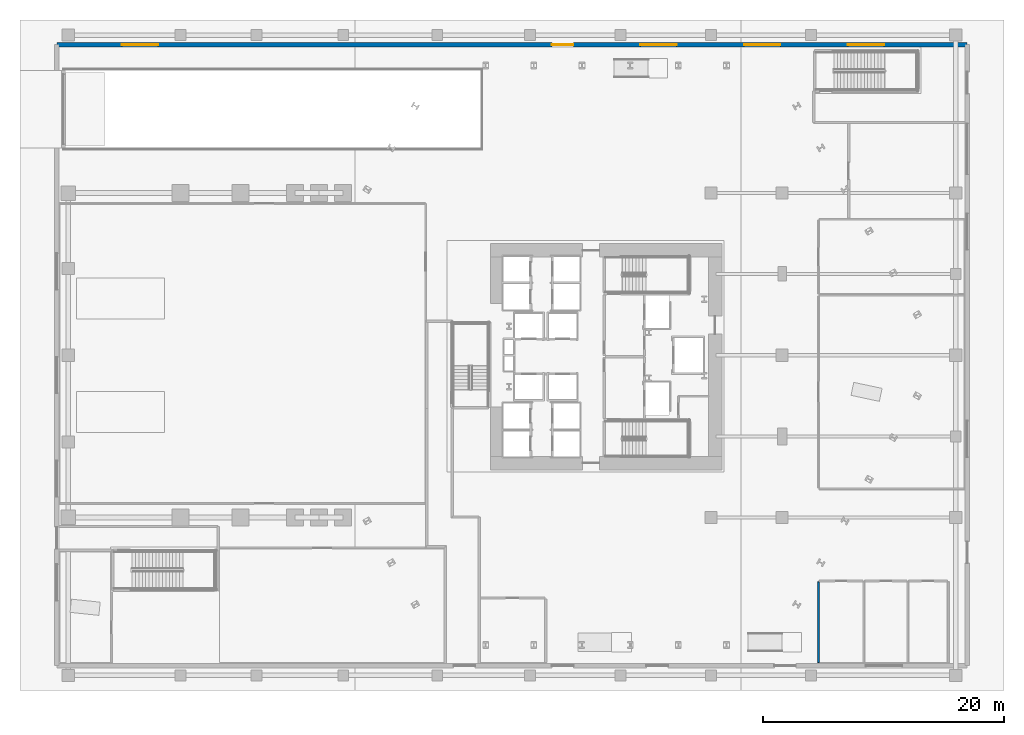
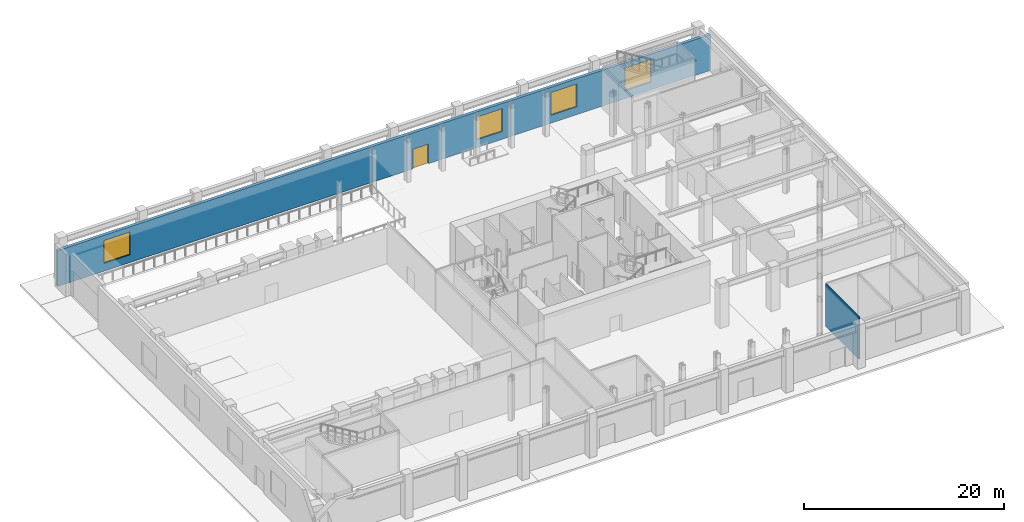
# One storey, part 6 of 18: 4 windows, 2 walls, 1 door, 5 openings.
"""IFC4 building model written with IfcOpenShell, lengths in metres."""

import ifcopenshell
import ifcopenshell.guid

model = None  # the IFC model being written
_history = None  # IfcOwnerHistory: only IFC2X3 demands one
_inside = {}  # id of a spatial element -> (the spatial element, [elements in it])
_under = {}  # id of a project, library or spatial element -> (it, [spatial elements below it])
_declared = {}  # id of a project -> (the project, [libraries it declares])
_typed = {}  # id of a type object -> (the type object, [elements of that type])
_made_of = {}  # id of a material, layer set ... -> (it, [elements and type objects made of it])


def new_model(schema):
    """Start an empty IFC model of exactly this schema.

    Asked for "IFC4X3", IfcOpenShell would pick the latest addendum, in which some entities
    have other attributes; the version numbers below select the first issue.
    IFC2X3 requires an IfcOwnerHistory on every rooted entity: one is made here for all.
    """
    global model, _history
    if schema == "IFC4X3":
        model = ifcopenshell.file(schema_version=(4, 3, 0, 0))
    else:
        model = ifcopenshell.file(schema=schema)
    _inside.clear()
    _under.clear()
    _declared.clear()
    _typed.clear()
    _made_of.clear()
    _history = None
    if model.schema == "IFC2X3":
        org = make("IfcOrganization", Name="unknown")
        user = make(
            "IfcPersonAndOrganization",
            ThePerson=make("IfcPerson", FamilyName="unknown"),
            TheOrganization=org,
        )
        app = make(
            "IfcApplication",
            ApplicationDeveloper=org,
            Version="unknown",
            ApplicationFullName="unknown",
            ApplicationIdentifier="unknown",
        )
        _history = make(
            "IfcOwnerHistory",
            OwningUser=user,
            OwningApplication=app,
            ChangeAction="ADDED",
            CreationDate=0,
        )
    return model


def make(cls, **values):
    """One entity of the class cls with the attributes given. An attribute that is None is left unset."""
    return model.create_entity(
        cls, **{name: value for name, value in values.items() if value is not None}
    )


def rooted(cls, **values):
    """An entity with a GlobalId (a new one), such as an element, a storey or a relation."""
    return make(cls, GlobalId=ifcopenshell.guid.new(), OwnerHistory=_history, **values)


def si_unit(unit_type, name, prefix=None):
    """IfcSIUnit, for example si_unit("LENGTHUNIT", "METRE", prefix="MILLI")."""
    return make("IfcSIUnit", UnitType=unit_type, Prefix=prefix, Name=name)


def assignment(units):
    """IfcUnitAssignment: the units of a project."""
    return None if units is None else make("IfcUnitAssignment", Units=units)


def point(xyz):
    """IfcCartesianPoint."""
    return None if xyz is None else make("IfcCartesianPoint", Coordinates=xyz)


def direction(xyz):
    """IfcDirection."""
    return None if xyz is None else make("IfcDirection", DirectionRatios=xyz)


def frame(location, z_axis=None, x_axis=None):
    """IfcAxis2Placement3D, a coordinate frame: its origin and axes. An axis left out is left unset."""
    return make(
        "IfcAxis2Placement3D",
        Location=point(location),
        Axis=direction(z_axis),
        RefDirection=direction(x_axis),
    )


def frame_2d(location, x_axis=None):
    """IfcAxis2Placement2D, a coordinate frame in the plane: its origin and x axis."""
    return make(
        "IfcAxis2Placement2D", Location=point(location), RefDirection=direction(x_axis)
    )


def origin():
    """The frame at (0, 0, 0) with its axes left unset."""
    return frame((0.0, 0.0, 0.0))


def place(relative_to, where):
    """IfcLocalPlacement: puts the frame where relative to a parent placement (None: the world)."""
    return make(
        "IfcLocalPlacement", PlacementRelTo=relative_to, RelativePlacement=where
    )


def context(
    kind, dimensions, precision=None, world=None, true_north=None, identifier=None
):
    """IfcGeometricRepresentationContext, for example the 3D "Model" context."""
    return make(
        "IfcGeometricRepresentationContext",
        ContextIdentifier=identifier,
        ContextType=kind,
        CoordinateSpaceDimension=dimensions,
        Precision=precision,
        WorldCoordinateSystem=world,
        TrueNorth=true_north,
    )


def subcontext(parent, identifier, kind, view, scale=None):
    """IfcGeometricRepresentationSubContext, for example "Body" below "Model"."""
    return make(
        "IfcGeometricRepresentationSubContext",
        ContextIdentifier=identifier,
        ContextType=kind,
        ParentContext=parent,
        TargetScale=scale,
        TargetView=view,
    )


def project(units=None, contexts=None):
    """IfcProject with its units and contexts."""
    return rooted(
        "IfcProject",
        Name="project",
        RepresentationContexts=contexts,
        UnitsInContext=assignment(units),
    )


def spatial(cls, under=None, at=None, **own):
    """A site, building, storey or space (cls), placed at a placement, below another one or the project."""
    s = rooted(cls, ObjectPlacement=at, **own)
    if under is not None:
        _under.setdefault(under.id(), (under, []))[1].append(s)
    return s


def profile(cls, at=None, kind="AREA", **sizes):
    """A parametric profile (cls). Its sizes go by their IFC names, for example OverallWidth=200.0."""
    return make(cls, ProfileType=kind, Position=at, **sizes)


def rectangle(**sizes):
    """IfcRectangleProfileDef."""
    return profile("IfcRectangleProfileDef", **sizes)


def extrude(swept, where, along, depth):
    """IfcExtrudedAreaSolid: the profile swept, set in the frame where, extruded along a direction by depth."""
    return make(
        "IfcExtrudedAreaSolid",
        SweptArea=swept,
        Position=where,
        ExtrudedDirection=direction(along),
        Depth=depth,
    )


def shape(context_of_items, identifier, shape_type, items):
    """IfcShapeRepresentation: the items that make up one representation, for example the "Body"."""
    return make(
        "IfcShapeRepresentation",
        ContextOfItems=context_of_items,
        RepresentationIdentifier=identifier,
        RepresentationType=shape_type,
        Items=items,
    )


def material(Name=None, Category=None):
    """IfcMaterial."""
    return make("IfcMaterial", Name=Name, Category=Category)


def layer(
    of_material, thickness, ventilated=None, Name=None, Category=None, Priority=None
):
    """IfcMaterialLayer: one layer of a wall or slab, of a material (None: an air gap)."""
    return make(
        "IfcMaterialLayer",
        Material=of_material,
        LayerThickness=thickness,
        IsVentilated=ventilated,
        Name=Name,
        Category=Category,
        Priority=Priority,
    )


def layer_set(layers, Name=None):
    """IfcMaterialLayerSet."""
    return make("IfcMaterialLayerSet", MaterialLayers=layers, LayerSetName=Name)


def made_of(thing, what):
    """Note that an element or type object is made of a material, layer set ...; save() writes the relation."""
    if what is not None:
        _made_of.setdefault(what.id(), (what, []))[1].append(thing)
    return thing


def type_object(cls, material=None, **own):
    """A type object (cls), such as IfcWallType, which elements share."""
    return made_of(rooted(cls, **own), material)


def element(
    cls,
    number,
    at=None,
    inside=None,
    cuts=None,
    type_object=None,
    material=None,
    context=None,
    identifier="Body",
    shape_type=None,
    held_by="IfcProductDefinitionShape",
    body=None,
    shapes=None,
    **own,
):
    """One element of the class cls, such as IfcWall. Its Tag is "e" and its number.

    at: its placement. inside: the storey or other place that contains it. cuts: it is an
    opening in that element (IfcRelVoidsElement). A single representation is given by context,
    identifier, shape_type and body (its items); several are given by shapes. held_by: the class
    of the entity that holds the representations. save() writes the other relations.
    """
    e = rooted(cls, Tag="e%d" % number, ObjectPlacement=at, **own)
    if body is not None:
        shapes = [shape(context, identifier, shape_type, body)]
    if shapes is not None:
        e.Representation = make(held_by, Representations=shapes)
    if inside is not None:
        _inside.setdefault(inside.id(), (inside, []))[1].append(e)
    if cuts is not None:
        rooted(
            "IfcRelVoidsElement", RelatingBuildingElement=cuts, RelatedOpeningElement=e
        )
    if type_object is not None:
        _typed.setdefault(type_object.id(), (type_object, []))[1].append(e)
    return made_of(e, material)


def fill(opening, filler):
    """IfcRelFillsElement: the door or window that sits in an opening."""
    return rooted(
        "IfcRelFillsElement",
        RelatingOpeningElement=opening,
        RelatedBuildingElement=filler,
    )


def aggregate(whole, parts):
    """IfcRelAggregates: a whole, such as a stair, and the parts it consists of."""
    return rooted("IfcRelAggregates", RelatingObject=whole, RelatedObjects=parts)


def save(model, path):
    """Write the relations noted so far, then the file.

    IfcRelAggregates (storeys below a building ...), IfcRelContainedInSpatialStructure (elements
    in a storey), IfcRelDefinesByType, IfcRelAssociatesMaterial and IfcRelDeclares: one each for
    every whole, place, type object, material and project.
    """
    for whole, parts in _under.values():
        aggregate(whole, parts)
    for where, things in _inside.values():
        rooted(
            "IfcRelContainedInSpatialStructure",
            RelatedElements=things,
            RelatingStructure=where,
        )
    for kind, things in _typed.values():
        rooted("IfcRelDefinesByType", RelatedObjects=things, RelatingType=kind)
    for what, things in _made_of.values():
        rooted("IfcRelAssociatesMaterial", RelatedObjects=things, RelatingMaterial=what)
    for by, libraries in _declared.values():
        rooted("IfcRelDeclares", RelatingContext=by, RelatedDefinitions=libraries)
    model.write(path)


model = new_model("IFC4")

# Units and contexts
model_context = context("Model", 3, precision=1e-05, world=origin(), true_north=direction((0.0, 1.0)))
body_context = subcontext(model_context, "Body", "Model", "MODEL_VIEW")
ifc_project = project(units=[si_unit("LENGTHUNIT", "METRE"), si_unit("AREAUNIT", "SQUARE_METRE"), si_unit("VOLUMEUNIT", "CUBIC_METRE"), si_unit("PLANEANGLEUNIT", "RADIAN"), si_unit("MASSUNIT", "GRAM", prefix="KILO")], contexts=[model_context])

# Site, building, storey
site_placement = place(None, origin())
site = spatial("IfcSite", under=ifc_project, at=site_placement, CompositionType="ELEMENT")
building_placement = place(site_placement, origin())
building = spatial("IfcBuilding", under=site, at=building_placement, Name="Valkerne Bourse Tower", CompositionType="ELEMENT")
storey_placement = place(building_placement, origin())
storey = spatial("IfcBuildingStorey", under=building, at=storey_placement, Name="L00", CompositionType="ELEMENT", Elevation=0.0)

# Wall, openings, door, windows
ifc_material_1 = material(Name="Indiana Limestone Cladding", Category="masonry")
ifc_layer_1 = layer(ifc_material_1, 0.35009765625)
ifc_layer_set_1 = layer_set([ifc_layer_1], Name="Indiana Limestone Cladding")
wall_type_1 = type_object("IfcWallType", Name="W-EXT-LIMESTONE-350", PredefinedType="STANDARD", material=ifc_layer_set_1)
wall_1_placement = place(storey_placement, frame((1.25, 52.75, 0.0), z_axis=(0.0, 0.0, 1.0), x_axis=(1.0, 0.0, 0.0)))
wall_1 = element("IfcWall", 1, at=wall_1_placement, inside=storey, type_object=wall_type_1, Name="L00 Podium Exterior Wall NORTH", PredefinedType="STANDARD", context=body_context, shape_type="SweptSolid", body=[
    extrude(rectangle(XDim=75.5, YDim=0.35009765625, at=frame_2d((37.75, 0.0))), origin(), (0.0, 0.0, 1.0), 4.368896484375),
])
opening_1_placement = place(wall_1_placement, frame((41.050048828125, 0.0, 0.0)))
opening_1 = element("IfcOpeningElement", 2, at=opening_1_placement, cuts=wall_1, Name="Opening EX-1800", PredefinedType="OPENING", context=body_context, shape_type="SweptSolid", body=[
    extrude(rectangle(XDim=1.800048828125, YDim=2.39990234375, at=frame_2d((0.89990234375, 1.199951171875))), frame((0.0, 0.18505859375, 0.0), z_axis=(0.0, -1.0, 0.0), x_axis=(1.0, 0.0, 0.0)), (0.0, 0.0, 1.0), 0.3701171875),
])
opening_2_placement = place(wall_1_placement, frame((5.39990234375, 0.0, 0.949951171875)))
opening_2 = element("IfcOpeningElement", 3, at=opening_2_placement, cuts=wall_1, Name="Opening WN-01", PredefinedType="OPENING", context=body_context, shape_type="SweptSolid", body=[
    extrude(rectangle(XDim=3.0, YDim=2.800048828125, at=frame_2d((1.5, 1.39990234375))), frame((0.0, 0.18505859375, 0.0), z_axis=(0.0, -1.0, 0.0), x_axis=(1.0, 0.0, 0.0)), (0.0, 0.0, 1.0), 0.3701171875),
])
opening_3_placement = place(wall_1_placement, frame((48.39990234375, 0.0, 0.949951171875)))
opening_3 = element("IfcOpeningElement", 4, at=opening_3_placement, cuts=wall_1, Name="Opening WN-01", PredefinedType="OPENING", context=body_context, shape_type="SweptSolid", body=[
    extrude(rectangle(XDim=3.0, YDim=2.800048828125, at=frame_2d((1.5, 1.39990234375))), frame((0.0, 0.18505859375, 0.0), z_axis=(0.0, -1.0, 0.0), x_axis=(1.0, 0.0, 0.0)), (0.0, 0.0, 1.0), 0.3701171875),
])
opening_4_placement = place(wall_1_placement, frame((57.0, 0.0, 0.949951171875)))
opening_4 = element("IfcOpeningElement", 5, at=opening_4_placement, cuts=wall_1, Name="Opening WN-01", PredefinedType="OPENING", context=body_context, shape_type="SweptSolid", body=[
    extrude(rectangle(XDim=3.0, YDim=2.800048828125, at=frame_2d((1.5, 1.39990234375))), frame((0.0, 0.18505859375, 0.0), z_axis=(0.0, -1.0, 0.0), x_axis=(1.0, 0.0, 0.0)), (0.0, 0.0, 1.0), 0.3701171875),
])
opening_5_placement = place(wall_1_placement, frame((65.60009765625, 0.0, 0.949951171875)))
opening_5 = element("IfcOpeningElement", 6, at=opening_5_placement, cuts=wall_1, Name="Opening WN-01", PredefinedType="OPENING", context=body_context, shape_type="SweptSolid", body=[
    extrude(rectangle(XDim=3.0, YDim=2.800048828125, at=frame_2d((1.5, 1.39990234375))), frame((0.0, 0.18505859375, 0.0), z_axis=(0.0, -1.0, 0.0), x_axis=(1.0, 0.0, 0.0)), (0.0, 0.0, 1.0), 0.3701171875),
])
ifc_material_2 = material(Name="Bronze Anodised Aluminium AA 6063-T6", Category="aluminium")
door_type = type_object("IfcDoorType", Name="DR-EXT-EXIT-1800", OperationType="DOUBLE_SWING_LEFT", PredefinedType="DOOR", material=ifc_material_2)
door_placement = place(opening_1_placement, origin())
door = element("IfcDoor", 7, at=door_placement, inside=storey, type_object=door_type, Name="North Concourse Street Exit Door EX-06", OperationType="DOUBLE_SWING_LEFT", OverallHeight=2.39990234375, OverallWidth=1.800048828125, PredefinedType="DOOR", context=body_context, shape_type="SweptSolid", body=[
    extrude(rectangle(XDim=1.800048828125, YDim=2.39990234375, at=frame_2d((0.89990234375, 1.199951171875))), frame((0.0, 0.02490234375, 0.0), z_axis=(0.0, -1.0, 0.0), x_axis=(1.0, 0.0, 0.0)), (0.0, 0.0, 1.0), 0.050048828125),
])
fill(opening_1, door)
ifc_material_3 = material(Name="Glass IGU Low-E Double Glazed", Category="glass")
window_type = type_object("IfcWindowType", Name="WIN-POD-3000X2800", PartitioningType="SINGLE_PANEL", PredefinedType="WINDOW", material=ifc_material_3)
window_1_placement = place(opening_2_placement, origin())
window_1 = element("IfcWindow", 8, at=window_1_placement, inside=storey, type_object=window_type, Name="L00 Podium Low-E Window 05", OverallHeight=2.800048828125, OverallWidth=3.0, PartitioningType="SINGLE_PANEL", PredefinedType="WINDOW", context=body_context, shape_type="SweptSolid", body=[
    extrude(rectangle(XDim=3.0, YDim=2.800048828125, at=frame_2d((1.5, 1.39990234375))), frame((0.0, 0.030029296875, 0.0), z_axis=(0.0, -1.0, 0.0), x_axis=(1.0, 0.0, 0.0)), (0.0, 0.0, 1.0), 0.06005859375),
])
fill(opening_2, window_1)
window_2_placement = place(opening_3_placement, origin())
window_2 = element("IfcWindow", 9, at=window_2_placement, inside=storey, type_object=window_type, Name="L00 Podium Low-E Window 06", OverallHeight=2.800048828125, OverallWidth=3.0, PartitioningType="SINGLE_PANEL", PredefinedType="WINDOW", context=body_context, shape_type="SweptSolid", body=[
    extrude(rectangle(XDim=3.0, YDim=2.800048828125, at=frame_2d((1.5, 1.39990234375))), frame((0.0, 0.030029296875, 0.0), z_axis=(0.0, -1.0, 0.0), x_axis=(1.0, 0.0, 0.0)), (0.0, 0.0, 1.0), 0.06005859375),
])
fill(opening_3, window_2)
window_3_placement = place(opening_4_placement, origin())
window_3 = element("IfcWindow", 10, at=window_3_placement, inside=storey, type_object=window_type, Name="L00 Podium Low-E Window 07", OverallHeight=2.800048828125, OverallWidth=3.0, PartitioningType="SINGLE_PANEL", PredefinedType="WINDOW", context=body_context, shape_type="SweptSolid", body=[
    extrude(rectangle(XDim=3.0, YDim=2.800048828125, at=frame_2d((1.5, 1.39990234375))), frame((0.0, 0.030029296875, 0.0), z_axis=(0.0, -1.0, 0.0), x_axis=(1.0, 0.0, 0.0)), (0.0, 0.0, 1.0), 0.06005859375),
])
fill(opening_4, window_3)
window_4_placement = place(opening_5_placement, origin())
window_4 = element("IfcWindow", 11, at=window_4_placement, inside=storey, type_object=window_type, Name="L00 Podium Low-E Window 08", OverallHeight=2.800048828125, OverallWidth=3.0, PartitioningType="SINGLE_PANEL", PredefinedType="WINDOW", context=body_context, shape_type="SweptSolid", body=[
    extrude(rectangle(XDim=3.0, YDim=2.800048828125, at=frame_2d((1.5, 1.39990234375))), frame((0.0, 0.030029296875, 0.0), z_axis=(0.0, -1.0, 0.0), x_axis=(1.0, 0.0, 0.0)), (0.0, 0.0, 1.0), 0.06005859375),
])
fill(opening_5, window_4)

# Wall
ifc_material_4 = material(Name="Moisture-Resistant Gypsum Partition", Category="gypsum")
ifc_layer_2 = layer(ifc_material_4, 0.139892578125)
ifc_layer_set_2 = layer_set([ifc_layer_2], Name="Moisture-Resistant Gypsum Partition")
wall_type_2 = type_object("IfcWallType", Name="W-WET-140", PredefinedType="PARTITIONING", material=ifc_layer_set_2)
wall_2_placement = place(storey_placement, frame((64.419921875, 1.5, 0.0), z_axis=(0.0, 0.0, 1.0), x_axis=(0.0, 1.0, 0.0)))
element("IfcWall", 12, at=wall_2_placement, inside=storey, type_object=wall_type_2, Name="L00 Ground Public Men Bathroom WC Wall", PredefinedType="PARTITIONING", context=body_context, shape_type="SweptSolid", body=[
    extrude(rectangle(XDim=6.699951171875, YDim=0.139892578125, at=frame_2d((3.35009765625, 0.0))), origin(), (0.0, 0.0, 1.0), 5.159912109375),
])

save(model, "model.ifc")
